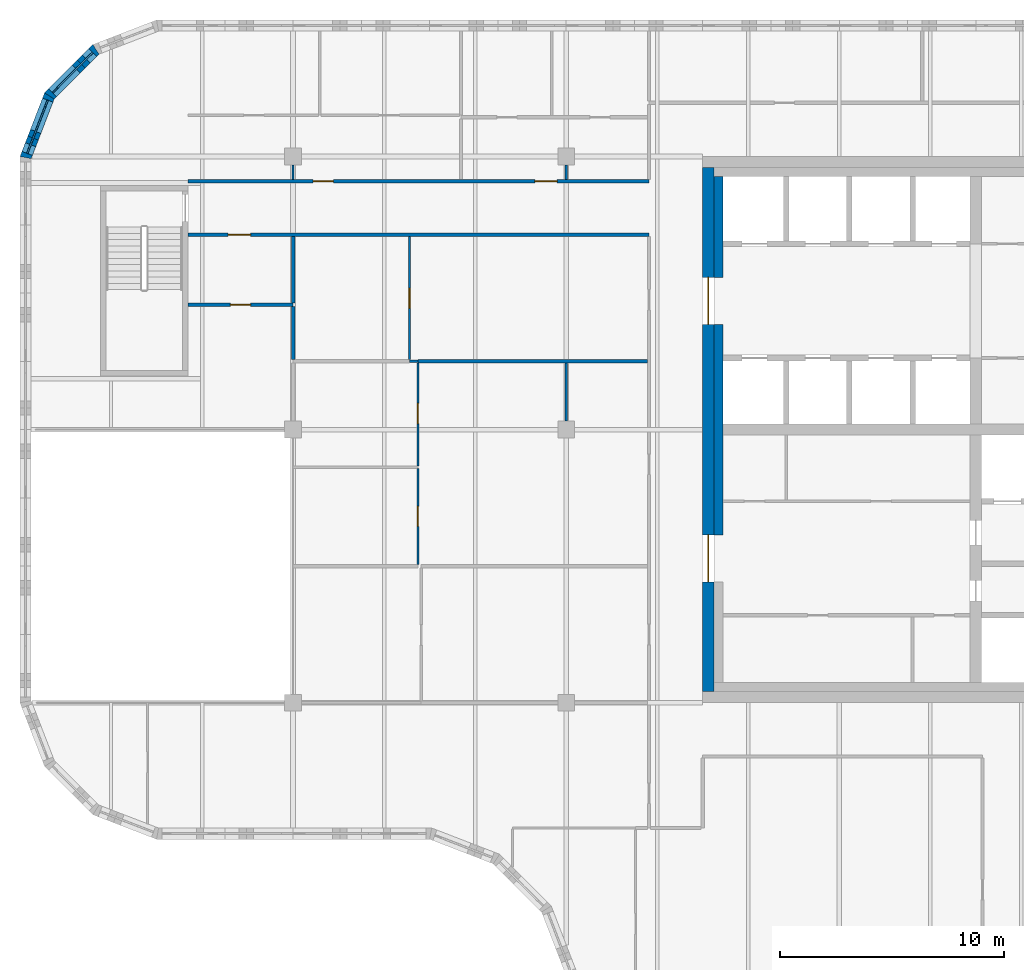
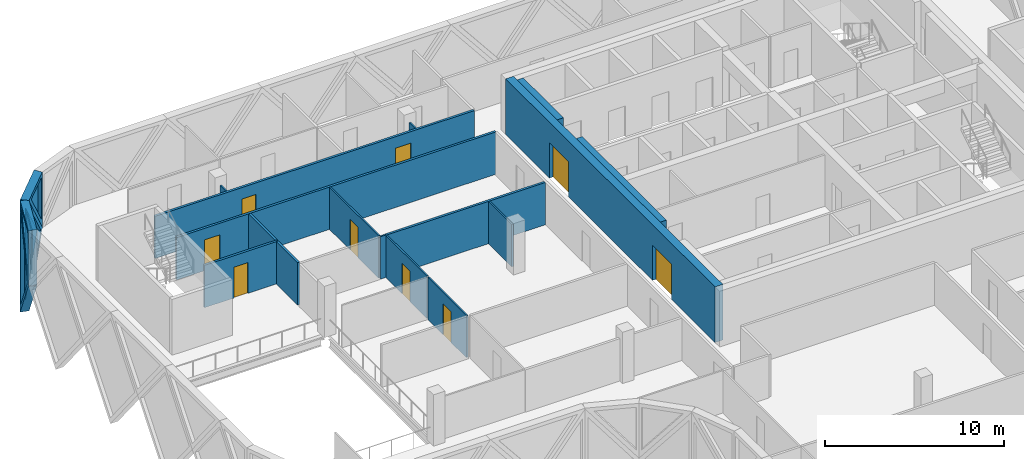
# One storey, part 9 of 15: 20 walls, 9 doors, 4 plates, 13 openings.
"""IFC4 building model written with IfcOpenShell, lengths in metres."""

from ifc_helpers import new_model, si_unit, direction, frame, frame_2d, origin, place, context, subcontext, project, spatial, polyline, rectangle, outline, extrude, faceted_brep, source, transform, mapped, material, layer, layer_set, type_object, element, fill, save


model = new_model("IFC4")

# Units and contexts
model_context = context("Model", 3, precision=1e-05, world=origin(), true_north=direction((0.0, 1.0)))
body_context = subcontext(model_context, "Body", "Model", "MODEL_VIEW")
ifc_project = project(units=[si_unit("LENGTHUNIT", "METRE"), si_unit("AREAUNIT", "SQUARE_METRE"), si_unit("VOLUMEUNIT", "CUBIC_METRE"), si_unit("PLANEANGLEUNIT", "RADIAN"), si_unit("MASSUNIT", "GRAM", prefix="KILO")], contexts=[model_context])

# Site, building, storey
site_placement = place(None, origin())
site = spatial("IfcSite", under=ifc_project, at=site_placement, CompositionType="ELEMENT")
building_placement = place(site_placement, origin())
building = spatial("IfcBuilding", under=site, at=building_placement, Name="Tessera Gate Towers", CompositionType="ELEMENT")
storey_placement = place(building_placement, frame((0.0, 0.0, 228.300048828125)))
storey = spatial("IfcBuildingStorey", under=building, at=storey_placement, Name="L57", CompositionType="ELEMENT", Elevation=228.300048828125)

# Wall, openings, doors
ifc_material_1 = material(Name="Concrete C50/60", Category="concrete")
ifc_layer_1 = layer(ifc_material_1, 0.5)
ifc_layer_set_1 = layer_set([ifc_layer_1], Name="CORE SHEAR WALL 500 C50/60")
wall_type_1 = type_object("IfcWallType", Name="CORE SHEAR WALL 500 C50/60", PredefinedType="SHEAR", material=ifc_layer_set_1)
wall_1_placement = place(storey_placement, frame((30.75, 24.89990234375, 0.0), z_axis=(0.0, 0.0, 1.0), x_axis=(0.0, 1.0, 0.0)))
wall_1 = element("IfcWall", 1, at=wall_1_placement, inside=storey, type_object=wall_type_1, Name="Core wall W L57", PredefinedType="SHEAR", context=body_context, shape_type="SweptSolid", body=[
    extrude(rectangle(XDim=23.400146484375, YDim=0.5, at=frame_2d((11.7001953125, 0.0))), origin(), (0.0, 0.0, 1.0), 3.800048828125),
])
shared_shape_1 = source(origin(), body_context, "Body", "SweptSolid", [
    extrude(rectangle(XDim=2.10009765625, YDim=2.39990234375, at=frame_2d((1.050048828125, 1.199951171875))), frame((0.0, 0.260009765625, 0.0), z_axis=(0.0, -1.0, 0.0), x_axis=(1.0, 0.0, 0.0)), (0.0, 0.0, 1.0), 0.52001953125),
])
opening_1_placement = place(wall_1_placement, frame((4.89990234375, 0.0, 0.0)))
opening_1 = element("IfcOpeningElement", 2, at=opening_1_placement, cuts=wall_1, Name="Opening DD-T1-34-02", PredefinedType="OPENING", context=body_context, shape_type="MappedRepresentation", body=[
    mapped(shared_shape_1, transform((0.0, 0.0, 0.0), scale=1.0)),
])
opening_2_placement = place(wall_1_placement, frame((16.39990234375, 0.0, 0.0)))
opening_2 = element("IfcOpeningElement", 3, at=opening_2_placement, cuts=wall_1, Name="Opening DD-T1-34-03", PredefinedType="OPENING", context=body_context, shape_type="MappedRepresentation", body=[
    mapped(shared_shape_1, transform((0.0, 0.0, 0.0), scale=1.0)),
])
ifc_material_2 = material(Name="Hollow steel fire door", Category="steel")
door_type_1 = type_object("IfcDoorType", Name="CORE DOOR DD 2100x2400", OperationType="NOTDEFINED", PredefinedType="DOOR", material=ifc_material_2)
shared_shape_2 = source(origin(), body_context, "Body", "SweptSolid", [
    extrude(rectangle(XDim=2.10009765625, YDim=2.39990234375, at=frame_2d((1.050048828125, 1.199951171875))), frame((0.0, 0.02490234375, 0.0), z_axis=(0.0, -1.0, 0.0), x_axis=(1.0, 0.0, 0.0)), (0.0, 0.0, 1.0), 0.050048828125),
])
door_1_placement = place(opening_1_placement, origin())
door_1 = element("IfcDoor", 4, at=door_1_placement, inside=storey, type_object=door_type_1, Name="Core entrance door", OperationType="DOUBLE_DOOR_SINGLE_SWING", OverallHeight=2.39990234375, OverallWidth=2.10009765625, PredefinedType="DOOR", context=body_context, shape_type="MappedRepresentation", body=[
    mapped(shared_shape_2, transform((0.0, 0.0, 0.0), scale=1.0)),
])
fill(opening_1, door_1)
door_2_placement = place(opening_2_placement, origin())
door_2 = element("IfcDoor", 5, at=door_2_placement, inside=storey, type_object=door_type_1, Name="Core entrance door", OperationType="DOUBLE_DOOR_SINGLE_SWING", OverallHeight=2.39990234375, OverallWidth=2.10009765625, PredefinedType="DOOR", context=body_context, shape_type="MappedRepresentation", body=[
    mapped(shared_shape_2, transform((0.0, 0.0, 0.0), scale=1.0)),
])
fill(opening_2, door_2)

# Walls
ifc_material_3 = material(Name="Concrete C50/60", Category="concrete")
ifc_layer_2 = layer(ifc_material_3, 0.39990234375)
ifc_layer_set_2 = layer_set([ifc_layer_2], Name="CORE WALL THICKENING 400")
wall_type_2 = type_object("IfcWallType", Name="CORE WALL THICKENING 400", PredefinedType="SOLIDWALL", material=ifc_layer_set_2)
wall_2_placement = place(storey_placement, frame((31.199951171875, 31.89990234375, 0.0), z_axis=(0.0, 0.0, 1.0), x_axis=(0.0, 1.0, 0.0)))
element("IfcWall", 6, at=wall_2_placement, inside=storey, type_object=wall_type_2, Name="Core wall thickening W L57", PredefinedType="SOLIDWALL", context=body_context, shape_type="SweptSolid", body=[
    extrude(rectangle(XDim=9.400146484375, YDim=0.39990234375, at=frame_2d((4.7001953125, 0.0))), origin(), (0.0, 0.0, 1.0), 3.800048828125),
])
wall_3_placement = place(storey_placement, frame((31.199951171875, 43.39990234375, 0.0), z_axis=(0.0, 0.0, 1.0), x_axis=(0.0, 1.0, 0.0)))
element("IfcWall", 7, at=wall_3_placement, inside=storey, type_object=wall_type_2, Name="Core wall thickening W L57", PredefinedType="SOLIDWALL", context=body_context, shape_type="SweptSolid", body=[
    extrude(rectangle(XDim=4.5, YDim=0.39990234375, at=frame_2d((2.25, 0.0))), origin(), (0.0, 0.0, 1.0), 3.800048828125),
])

# Wall, opening, door
ifc_material_4 = material(Name="Gypsum board on steel studs, mineral wool", Category="steel")
ifc_layer_3 = layer(ifc_material_4, 0.14990234375)
ifc_layer_set_3 = layer_set([ifc_layer_3], Name="CORRIDOR WALL 150")
wall_type_3 = type_object("IfcWallType", Name="CORRIDOR WALL 150", PredefinedType="PARTITIONING", material=ifc_layer_set_3)
wall_4_placement = place(storey_placement, frame((28.10009765625, 45.300048828125, 0.0), z_axis=(0.0, 0.0, 1.0), x_axis=(-1.0, 0.0, 0.0)))
wall_4 = element("IfcWall", 8, at=wall_4_placement, inside=storey, type_object=wall_type_3, Name="T1-L57-PW-040", PredefinedType="PARTITIONING", context=body_context, shape_type="SweptSolid", body=[
    extrude(rectangle(XDim=20.60009765625, YDim=0.14990234375, at=frame_2d((10.300048828125, 0.0))), origin(), (0.0, 0.0, 1.0), 2.887939453125),
])
shared_shape_3 = source(origin(), body_context, "Body", "SweptSolid", [
    extrude(rectangle(XDim=1.0, YDim=2.10009765625, at=frame_2d((0.5, 1.050048828125))), frame((0.0, 0.0849609375, 0.0), z_axis=(0.0, -1.0, 0.0), x_axis=(1.0, 0.0, 0.0)), (0.0, 0.0, 1.0), 0.169921875),
])
opening_3_placement = place(wall_4_placement, frame((17.800048828125, 0.0, 0.0)))
opening_3 = element("IfcOpeningElement", 9, at=opening_3_placement, cuts=wall_4, Name="Opening D2100FD60-A20-01", PredefinedType="OPENING", context=body_context, shape_type="MappedRepresentation", body=[
    mapped(shared_shape_3, transform((0.0, 0.0, 0.0), scale=1.0)),
])
ifc_material_5 = material(Name="Timber door leaf in steel frame", Category="steel")
door_type_2 = type_object("IfcDoorType", Name="TENANCY ENTRANCE DOOR 1000 FD60", OperationType="NOTDEFINED", PredefinedType="DOOR", material=ifc_material_5)
shared_shape_4 = source(origin(), body_context, "Body", "SweptSolid", [
    extrude(rectangle(XDim=1.0, YDim=2.10009765625, at=frame_2d((0.5, 1.050048828125))), frame((0.0, 0.02490234375, 0.0), z_axis=(0.0, -1.0, 0.0), x_axis=(1.0, 0.0, 0.0)), (0.0, 0.0, 1.0), 0.050048828125),
])
door_3_placement = place(opening_3_placement, origin())
door_3 = element("IfcDoor", 10, at=door_3_placement, inside=storey, type_object=door_type_2, Name="T1-L57-PD-006", OperationType="SINGLE_SWING_RIGHT", OverallHeight=2.10009765625, OverallWidth=1.0, PredefinedType="DOOR", context=body_context, shape_type="MappedRepresentation", body=[
    mapped(shared_shape_4, transform((0.0, 0.0, 0.0), scale=1.0)),
])
fill(opening_3, door_3)

# Wall, openings, doors
wall_5_placement = place(storey_placement, frame((7.5, 47.699951171875, 0.0), z_axis=(0.0, 0.0, 1.0), x_axis=(1.0, 0.0, 0.0)))
wall_5 = element("IfcWall", 11, at=wall_5_placement, inside=storey, type_object=wall_type_3, Name="T1-L57-PW-041", PredefinedType="PARTITIONING", context=body_context, shape_type="SweptSolid", body=[
    extrude(rectangle(XDim=20.60009765625, YDim=0.14990234375, at=frame_2d((10.300048828125, 0.0))), origin(), (0.0, 0.0, 1.0), 2.887939453125),
])
opening_4_placement = place(wall_5_placement, frame((15.5009765625, 0.0, 0.0)))
opening_4 = element("IfcOpeningElement", 12, at=opening_4_placement, cuts=wall_5, Name="Opening D2100FD60-A20-03", PredefinedType="OPENING", context=body_context, shape_type="MappedRepresentation", body=[
    mapped(shared_shape_3, transform((0.0, 0.0, 0.0), scale=1.0)),
])
shared_shape_5 = source(origin(), body_context, "Body", "SweptSolid", [
    extrude(rectangle(XDim=0.89990234375, YDim=2.10009765625, at=frame_2d((0.449951171875, 1.050048828125))), frame((0.0, 0.0849609375, 0.0), z_axis=(0.0, -1.0, 0.0), x_axis=(1.0, 0.0, 0.0)), (0.0, 0.0, 1.0), 0.169921875),
])
opening_5_placement = place(wall_5_placement, frame((5.60009765625, 0.0, 0.0)))
opening_5 = element("IfcOpeningElement", 13, at=opening_5_placement, cuts=wall_5, Name="Opening D890FD60-A20-10", PredefinedType="OPENING", context=body_context, shape_type="MappedRepresentation", body=[
    mapped(shared_shape_5, transform((0.0, 0.0, 0.0), scale=1.0)),
])
ifc_material_6 = material(Name="Timber door leaf in steel frame", Category="steel")
door_type_3 = type_object("IfcDoorType", Name="CORRIDOR DOOR 900 FD60", OperationType="NOTDEFINED", PredefinedType="DOOR", material=ifc_material_6)
shared_shape_6 = source(origin(), body_context, "Body", "SweptSolid", [
    extrude(rectangle(XDim=0.89990234375, YDim=2.10009765625, at=frame_2d((0.449951171875, 1.050048828125))), frame((0.0, 0.02490234375, 0.0), z_axis=(0.0, -1.0, 0.0), x_axis=(1.0, 0.0, 0.0)), (0.0, 0.0, 1.0), 0.050048828125),
])
door_4_placement = place(opening_5_placement, origin())
door_4 = element("IfcDoor", 14, at=door_4_placement, inside=storey, type_object=door_type_3, Name="T1-L57-PD-025", OperationType="SINGLE_SWING_LEFT", OverallHeight=2.10009765625, OverallWidth=0.89990234375, PredefinedType="DOOR", context=body_context, shape_type="MappedRepresentation", body=[
    mapped(shared_shape_6, transform((0.0, 0.0, 0.0), scale=1.0)),
])
fill(opening_5, door_4)
door_5_placement = place(opening_4_placement, origin())
door_5 = element("IfcDoor", 15, at=door_5_placement, inside=storey, type_object=door_type_2, Name="T1-L57-PD-019", OperationType="SINGLE_SWING_LEFT", OverallHeight=2.10009765625, OverallWidth=1.0, PredefinedType="DOOR", context=body_context, shape_type="MappedRepresentation", body=[
    mapped(shared_shape_4, transform((0.0, 0.0, 0.0), scale=1.0)),
])
fill(opening_4, door_5)

# Wall, opening, door
ifc_material_7 = material(Name="Glass", Category="glass")
ifc_layer_4 = layer(ifc_material_7, 0.10009765625)
ifc_layer_set_4 = layer_set([ifc_layer_4], Name="GLAZED PARTITION 100")
wall_type_4 = type_object("IfcWallType", Name="GLAZED PARTITION 100", PredefinedType="PARTITIONING", material=ifc_layer_set_4)
wall_6_placement = place(storey_placement, frame((17.77490234375, 30.575927734375, 0.0), z_axis=(0.0, 0.0, 1.0), x_axis=(0.0, 1.0, 0.0)))
wall_6 = element("IfcWall", 16, at=wall_6_placement, inside=storey, type_object=wall_type_4, Name="T1-L57-PW-028", PredefinedType="PARTITIONING", context=body_context, shape_type="SweptSolid", body=[
    extrude(rectangle(XDim=4.29345703125, YDim=0.10009765625, at=frame_2d((2.146728515625, 0.0))), origin(), (0.0, 0.0, 1.0), 2.887939453125),
])
shared_shape_7 = source(origin(), body_context, "Body", "SweptSolid", [
    extrude(rectangle(XDim=0.89990234375, YDim=2.10009765625, at=frame_2d((0.449951171875, 1.050048828125))), frame((0.0, 0.06005859375, 0.0), z_axis=(0.0, -1.0, 0.0), x_axis=(1.0, 0.0, 0.0)), (0.0, 0.0, 1.0), 0.1201171875),
])
opening_6_placement = place(wall_6_placement, frame((1.699951171875, 0.0, 0.0)))
opening_6 = element("IfcOpeningElement", 17, at=opening_6_placement, cuts=wall_6, Name="Opening D690-A20-01", PredefinedType="OPENING", context=body_context, shape_type="MappedRepresentation", body=[
    mapped(shared_shape_7, transform((0.0, 0.0, 0.0), scale=1.0)),
])
ifc_material_8 = material(Name="Glass in aluminium frame", Category="aluminium")
door_type_4 = type_object("IfcDoorType", Name="GLAZED DOOR 900 NOT RATED", OperationType="NOTDEFINED", PredefinedType="DOOR", material=ifc_material_8)
door_6_placement = place(opening_6_placement, origin())
door_6 = element("IfcDoor", 18, at=door_6_placement, inside=storey, type_object=door_type_4, Name="T1-L57-PD-004", OperationType="SINGLE_SWING_LEFT", OverallHeight=2.10009765625, OverallWidth=0.89990234375, PredefinedType="DOOR", context=body_context, shape_type="MappedRepresentation", body=[
    mapped(shared_shape_6, transform((0.0, 0.0, 0.0), scale=1.0)),
])
fill(opening_6, door_6)

wall_7_placement = place(storey_placement, frame((17.77490234375, 34.97119140625, 0.0), z_axis=(0.0, 0.0, 1.0), x_axis=(0.0, 1.0, 0.0)))
wall_7 = element("IfcWall", 19, at=wall_7_placement, inside=storey, type_object=wall_type_4, Name="T1-L57-PW-030", PredefinedType="PARTITIONING", context=body_context, shape_type="SweptSolid", body=[
    extrude(rectangle(XDim=4.602783203125, YDim=0.10009765625, at=frame_2d((2.30126953125, 0.0))), origin(), (0.0, 0.0, 1.0), 2.887939453125),
])
opening_7_placement = place(wall_7_placement, frame((1.89990234375, 0.0, 0.0)))
opening_7 = element("IfcOpeningElement", 20, at=opening_7_placement, cuts=wall_7, Name="Opening D690-A20-02", PredefinedType="OPENING", context=body_context, shape_type="MappedRepresentation", body=[
    mapped(shared_shape_7, transform((0.0, 0.0, 0.0), scale=1.0)),
])
door_7_placement = place(opening_7_placement, origin())
door_7 = element("IfcDoor", 21, at=door_7_placement, inside=storey, type_object=door_type_4, Name="T1-L57-PD-005", OperationType="SINGLE_SWING_LEFT", OverallHeight=2.10009765625, OverallWidth=0.89990234375, PredefinedType="DOOR", context=body_context, shape_type="MappedRepresentation", body=[
    mapped(shared_shape_6, transform((0.0, 0.0, 0.0), scale=1.0)),
])
fill(opening_7, door_7)

# Wall
wall_8_placement = place(storey_placement, frame((17.40087890625, 39.64990234375, 0.0), z_axis=(0.0, 0.0, 1.0), x_axis=(1.0, 0.0, 0.0)))
element("IfcWall", 22, at=wall_8_placement, inside=storey, type_object=wall_type_4, Name="T1-L57-PW-034", PredefinedType="PARTITIONING", context=body_context, shape_type="SweptSolid", body=[
    extrude(rectangle(XDim=0.373046875, YDim=0.10009765625, at=frame_2d((0.1865234375, 0.0))), origin(), (0.0, 0.0, 1.0), 2.887939453125),
])

# Wall, opening, door
wall_9_placement = place(storey_placement, frame((17.39990234375, 39.72607421875, 0.0), z_axis=(0.0, 0.0, 1.0), x_axis=(0.0, 1.0, 0.0)))
wall_9 = element("IfcWall", 23, at=wall_9_placement, inside=storey, type_object=wall_type_4, Name="T1-L57-PW-037", PredefinedType="PARTITIONING", context=body_context, shape_type="SweptSolid", body=[
    extrude(rectangle(XDim=5.498046875, YDim=0.10009765625, at=frame_2d((2.7490234375, 0.0))), origin(), (0.0, 0.0, 1.0), 2.887939453125),
])
opening_8_placement = place(wall_9_placement, frame((2.300048828125, 0.0, 0.0)))
opening_8 = element("IfcOpeningElement", 24, at=opening_8_placement, cuts=wall_9, Name="Opening D690-A20-04", PredefinedType="OPENING", context=body_context, shape_type="MappedRepresentation", body=[
    mapped(shared_shape_7, transform((0.0, 0.0, 0.0), scale=1.0)),
])
door_8_placement = place(opening_8_placement, origin())
door_8 = element("IfcDoor", 25, at=door_8_placement, inside=storey, type_object=door_type_4, Name="T1-L57-PD-010", OperationType="SINGLE_SWING_LEFT", OverallHeight=2.10009765625, OverallWidth=0.89990234375, PredefinedType="DOOR", context=body_context, shape_type="MappedRepresentation", body=[
    mapped(shared_shape_6, transform((0.0, 0.0, 0.0), scale=1.0)),
])
fill(opening_8, door_8)

# Walls
ifc_material_9 = material(Name="Gypsum board on steel studs", Category="steel")
ifc_layer_5 = layer(ifc_material_9, 0.10009765625)
ifc_layer_set_5 = layer_set([ifc_layer_5], Name="PARTITION 100")
wall_type_5 = type_object("IfcWallType", Name="PARTITION 100", PredefinedType="PARTITIONING", material=ifc_layer_set_5)
wall_10_placement = place(storey_placement, frame((24.39990234375, 36.97509765625, 0.0), z_axis=(0.0, 0.0, 1.0), x_axis=(0.0, 1.0, 0.0)))
element("IfcWall", 26, at=wall_10_placement, inside=storey, type_object=wall_type_5, Name="T1-L57-PW-032", PredefinedType="PARTITIONING", context=body_context, shape_type="SweptSolid", body=[
    extrude(rectangle(XDim=2.599853515625, YDim=0.10009765625, at=frame_2d((1.2998046875, 0.0))), origin(), (0.0, 0.0, 1.0), 2.887939453125),
])
for number, where, z_axis, x_axis, name in (
    (27, (12.199951171875, 48.425048828125, 0.0), (0.0, 0.0, 1.0), (0.0, -1.0, 0.0), "T1-L57-PW-044"),
    (28, (24.39990234375, 48.425048828125, 0.0), (0.0, 0.0, 1.0), (0.0, -1.0, 0.0), "T1-L57-PW-045"),
):
    element("IfcWall", number, at=place(storey_placement, frame(where, z_axis=z_axis, x_axis=x_axis)), inside=storey, type_object=wall_type_5, Name=name, PredefinedType="PARTITIONING", context=body_context, shape_type="SweptSolid", body=[
        extrude(rectangle(XDim=0.650146484375, YDim=0.10009765625, at=frame_2d((0.3251953125, 0.0))), origin(), (0.0, 0.0, 1.0), 2.887939453125),
    ])
ifc_material_10 = material(Name="Gypsum board on steel studs, mineral wool", Category="steel")
ifc_layer_6 = layer(ifc_material_10, 0.14990234375)
ifc_layer_set_6 = layer_set([ifc_layer_6], Name="TENANCY WALL 150")
wall_type_6 = type_object("IfcWallType", Name="TENANCY WALL 150", PredefinedType="PARTITIONING", material=ifc_layer_set_6)
wall_11_placement = place(storey_placement, frame((17.77490234375, 39.64990234375, 0.0), z_axis=(0.0, 0.0, 1.0), x_axis=(1.0, 0.0, 0.0)))
element("IfcWall", 29, at=wall_11_placement, inside=storey, type_object=wall_type_6, Name="T1-L57-PW-035", PredefinedType="PARTITIONING", context=body_context, shape_type="SweptSolid", body=[
    extrude(rectangle(XDim=10.2490234375, YDim=0.14990234375, at=frame_2d((5.12451171875, 0.0))), origin(), (0.0, 0.0, 1.0), 2.887939453125),
])
wall_12_placement = place(storey_placement, frame((12.199951171875, 39.72607421875, 0.0), z_axis=(0.0, 0.0, 1.0), x_axis=(0.0, 1.0, 0.0)))
element("IfcWall", 30, at=wall_12_placement, inside=storey, type_object=wall_type_6, Name="T1-L57-PW-036", PredefinedType="PARTITIONING", context=body_context, shape_type="SweptSolid", body=[
    extrude(rectangle(XDim=2.373046875, YDim=0.14990234375, at=frame_2d((1.1865234375, 0.0))), origin(), (0.0, 0.0, 1.0), 2.887939453125),
])

# Wall, opening, door
wall_13_placement = place(storey_placement, frame((12.199951171875, 42.175048828125, 0.0), z_axis=(0.0, 0.0, 1.0), x_axis=(-1.0, 0.0, 0.0)))
wall_13 = element("IfcWall", 31, at=wall_13_placement, inside=storey, type_object=wall_type_6, Name="T1-L57-PW-038", PredefinedType="PARTITIONING", context=body_context, shape_type="SweptSolid", body=[
    extrude(rectangle(XDim=4.699951171875, YDim=0.14990234375, at=frame_2d((2.35009765625, 0.0))), origin(), (0.0, 0.0, 1.0), 2.887939453125),
])
opening_9_placement = place(wall_13_placement, frame((1.89990234375, 0.0, 0.0)))
opening_9 = element("IfcOpeningElement", 32, at=opening_9_placement, cuts=wall_13, Name="Opening D190-A20-03", PredefinedType="OPENING", context=body_context, shape_type="MappedRepresentation", body=[
    mapped(shared_shape_5, transform((0.0, 0.0, 0.0), scale=1.0)),
])
ifc_material_11 = material(Name="Timber door leaf in steel frame", Category="steel")
door_type_5 = type_object("IfcDoorType", Name="INTERNAL DOOR 900 NOT RATED", OperationType="NOTDEFINED", PredefinedType="DOOR", material=ifc_material_11)
door_9_placement = place(opening_9_placement, origin())
door_9 = element("IfcDoor", 33, at=door_9_placement, inside=storey, type_object=door_type_5, Name="T1-L57-PD-007", OperationType="SINGLE_SWING_RIGHT", OverallHeight=2.10009765625, OverallWidth=0.89990234375, PredefinedType="DOOR", context=body_context, shape_type="MappedRepresentation", body=[
    mapped(shared_shape_6, transform((0.0, 0.0, 0.0), scale=1.0)),
])
fill(opening_9, door_9)

# Wall
wall_14_placement = place(storey_placement, frame((12.199951171875, 42.2509765625, 0.0), z_axis=(0.0, 0.0, 1.0), x_axis=(0.0, 1.0, 0.0)))
element("IfcWall", 34, at=wall_14_placement, inside=storey, type_object=wall_type_6, Name="T1-L57-PW-039", PredefinedType="PARTITIONING", context=body_context, shape_type="SweptSolid", body=[
    extrude(rectangle(XDim=2.97314453125, YDim=0.14990234375, at=frame_2d((1.486572265625, 0.0))), origin(), (0.0, 0.0, 1.0), 2.887939453125),
])

# Wall, opening, plate
ifc_material_12 = material(Name="Precast concrete C60/75 white", Category="concrete")
ifc_layer_7 = layer(ifc_material_12, 0.5)
ifc_layer_set_7 = layer_set([ifc_layer_7], Name="TS3 corner tessera")
wall_type_7 = type_object("IfcWallType", Name="TS3 corner tessera", PredefinedType="SOLIDWALL", material=ifc_layer_set_7)
shared_shape_8 = source(origin(), body_context, "Body", "Brep", [
    faceted_brep([(0.052978515625, -0.25, 0.0), (3.00341796875, -0.25, 3.800048828125), (0.052978515625, -0.25, 7.60009765625), (0.0, -0.25, 7.53173828125), (0.0, -0.25, 0.068359375), (0.10595703125, 0.25, 7.531982421875), (2.95703125, 0.25, 3.85986328125), (2.95703125, 0.25, 3.740234375), (0.10595703125, 0.25, 0.068115234375), (3.00341796875, 0.00048828125, 3.800048828125), (0.052978515625, 0.0, 0.0), (0.052978515625, 0.0, 7.60009765625)], [[[0, 1, 2, 3, 4]], [[5, 6, 7, 8]], [[8, 7, 9, 1, 0, 10]], [[6, 5, 11, 2, 1, 9]], [[3, 2, 11]], [[10, 0, 4]], [[8, 10, 4, 3, 11, 5]], [[9, 7, 6]]]),
])
wall_15_placement = place(storey_placement, frame((1.3310546875, 51.5556640625, -3.800048828125), z_axis=(0.0, 0.0, 1.0), x_axis=(-0.35992665181, -0.932980602862, 0.0)))
wall_15 = element("IfcWall", 35, at=wall_15_placement, inside=storey, type_object=wall_type_7, Name="Precast corner tessera T1 TS3-1334", PredefinedType="SOLIDWALL", context=body_context, shape_type="MappedRepresentation", body=[
    mapped(shared_shape_8, transform((0.0, 0.0, 0.0), scale=1.0)),
])
shared_shape_9 = source(origin(), body_context, "Body", "SweptSolid", [
    extrude(outline(polyline([(0.2529296875, 0.665283203125), (2.68701171875, 3.800048828125), (0.2529296875, 6.934814453125), (0.2529296875, 0.665283203125)])), frame((0.0, 0.260009765625, 0.0), z_axis=(0.0, -1.0, 0.0), x_axis=(1.0, 0.0, 0.0)), (0.0, 0.0, 1.0), 0.52001953125),
])
opening_10_placement = place(wall_15_placement, origin())
opening_10 = element("IfcOpeningElement", 36, at=opening_10_placement, cuts=wall_15, Name="Opening T1-PL2-2098", PredefinedType="OPENING", context=body_context, shape_type="MappedRepresentation", body=[
    mapped(shared_shape_9, transform((0.0, 0.0, 0.0), scale=1.0)),
])
ifc_material_13 = material(Name="Low-e laminated glass", Category="glass")
ifc_layer_8 = layer(ifc_material_13, 0.06005859375)
ifc_layer_set_8 = layer_set([ifc_layer_8], Name="PL2 rhombic pane")
plate_type_1 = type_object("IfcPlateType", Name="PL2 rhombic pane", PredefinedType="SHEET", material=ifc_layer_set_8)
shared_shape_10 = source(origin(), body_context, "Body", "SweptSolid", [
    extrude(outline(polyline([(0.2529296875, 0.665283203125), (2.68701171875, 3.800048828125), (0.2529296875, 6.934814453125), (0.2529296875, 0.665283203125)])), frame((0.0, 0.030029296875, 0.0), z_axis=(0.0, -1.0, 0.0), x_axis=(1.0, 0.0, 0.0)), (0.0, 0.0, 1.0), 0.06005859375),
])
plate_1_placement = place(opening_10_placement, origin())
plate_1 = element("IfcPlate", 37, at=plate_1_placement, inside=storey, type_object=plate_type_1, Name="Glass pane T1 PL2-2098", PredefinedType="SHEET", context=body_context, shape_type="MappedRepresentation", body=[
    mapped(shared_shape_10, transform((0.0, 0.0, 0.0), scale=1.0)),
])
fill(opening_10, plate_1)

shared_shape_11 = source(origin(), body_context, "Body", "Brep", [
    faceted_brep([(2.944091796875, -0.25, 0.0), (2.9970703125, -0.25, 0.068115234375), (2.9970703125, -0.25, 7.531982421875), (2.944091796875, -0.25, 7.60009765625), (0.0, -0.25, 3.800048828125), (0.052978515625, 0.25, 3.868408203125), (2.89111328125, 0.25, 7.531982421875), (2.89111328125, 0.25, 0.068115234375), (0.052978515625, 0.25, 3.731689453125), (2.944091796875, 0.000244140625, 0.0), (2.944091796875, 0.000244140625, 7.60009765625), (0.0, 0.0, 3.800048828125)], [[[0, 1, 2, 3, 4]], [[5, 6, 7, 8]], [[1, 0, 9]], [[10, 3, 2]], [[6, 5, 11, 4, 3, 10]], [[8, 7, 9, 0, 4, 11]], [[8, 11, 5]], [[1, 9, 7, 6, 10, 2]]]),
])
wall_16_placement = place(storey_placement, frame((3.393798828125, 53.588134765625, -3.800048828125), z_axis=(0.0, 0.0, 1.0), x_axis=(-0.707106781187, -0.707106781187, 0.0)))
wall_16 = element("IfcWall", 38, at=wall_16_placement, inside=storey, type_object=wall_type_7, Name="Precast corner tessera T1 TS3-1333", PredefinedType="SOLIDWALL", context=body_context, shape_type="MappedRepresentation", body=[
    mapped(shared_shape_11, transform((0.0, 0.0, 0.0), scale=1.0)),
])
shared_shape_12 = source(origin(), body_context, "Body", "SweptSolid", [
    extrude(outline(polyline([(2.744140625, 6.93359375), (0.316162109375, 3.800048828125), (2.744140625, 0.666259765625), (2.744140625, 6.93359375)])), frame((0.0, 0.260009765625, 0.0), z_axis=(0.0, -1.0, 0.0), x_axis=(1.0, 0.0, 0.0)), (0.0, 0.0, 1.0), 0.52001953125),
])
opening_11_placement = place(wall_16_placement, origin())
opening_11 = element("IfcOpeningElement", 39, at=opening_11_placement, cuts=wall_16, Name="Opening T1-PL2-2097", PredefinedType="OPENING", context=body_context, shape_type="MappedRepresentation", body=[
    mapped(shared_shape_12, transform((0.0, 0.0, 0.0), scale=1.0)),
])
shared_shape_13 = source(origin(), body_context, "Body", "SweptSolid", [
    extrude(outline(polyline([(2.744140625, 6.93359375), (0.316162109375, 3.800048828125), (2.744140625, 0.666259765625), (2.744140625, 6.93359375)])), frame((0.0, 0.030029296875, 0.0), z_axis=(0.0, -1.0, 0.0), x_axis=(1.0, 0.0, 0.0)), (0.0, 0.0, 1.0), 0.06005859375),
])
plate_2_placement = place(opening_11_placement, origin())
plate_2 = element("IfcPlate", 40, at=plate_2_placement, inside=storey, type_object=plate_type_1, Name="Glass pane T1 PL2-2097", PredefinedType="SHEET", context=body_context, shape_type="MappedRepresentation", body=[
    mapped(shared_shape_13, transform((0.0, 0.0, 0.0), scale=1.0)),
])
fill(opening_11, plate_2)

shared_shape_14 = source(origin(), body_context, "Body", "Brep", [
    faceted_brep([(2.950439453125, -0.25, 0.0), (2.9970703125, -0.25, 0.05908203125), (2.9970703125, -0.25, 3.800048828125), (0.0, -0.25, 3.800048828125), (0.052978515625, 0.25, 3.800048828125), (2.904052734375, 0.25, 3.800048828125), (2.904052734375, 0.25, 0.059814453125), (0.052978515625, 0.25, 3.73193359375), (2.950439453125, 0.00048828125, 0.0), (0.0, 0.0, 3.800048828125)], [[[0, 1, 2, 3]], [[4, 5, 6, 7]], [[1, 0, 8]], [[5, 4, 9, 3, 2]], [[7, 6, 8, 0, 3, 9]], [[7, 9, 4]], [[1, 8, 6, 5, 2]]]),
])
wall_17_placement = place(storey_placement, frame((1.31201171875, 51.50634765625, 0.0), z_axis=(0.0, 0.0, 1.0), x_axis=(-0.359944998003, -0.932973525033, 0.0)))
wall_17 = element("IfcWall", 41, at=wall_17_placement, inside=storey, type_object=wall_type_7, Name="Precast corner tessera T1 TS3-1355", PredefinedType="SOLIDWALL", context=body_context, shape_type="MappedRepresentation", body=[
    mapped(shared_shape_14, transform((0.0, 0.0, 0.0), scale=1.0)),
])
shared_shape_15 = source(origin(), body_context, "Body", "SweptSolid", [
    extrude(outline(polyline([(2.75048828125, 3.550048828125), (0.5107421875, 3.550048828125), (2.75048828125, 0.665283203125), (2.75048828125, 3.550048828125)])), frame((0.0, 0.260009765625, 0.0), z_axis=(0.0, -1.0, 0.0), x_axis=(1.0, 0.0, 0.0)), (0.0, 0.0, 1.0), 0.52001953125),
])
opening_12_placement = place(wall_17_placement, origin())
opening_12 = element("IfcOpeningElement", 42, at=opening_12_placement, cuts=wall_17, Name="Opening T1-PL1-0545", PredefinedType="OPENING", context=body_context, shape_type="MappedRepresentation", body=[
    mapped(shared_shape_15, transform((0.0, 0.0, 0.0), scale=1.0)),
])
ifc_material_14 = material(Name="Low-e laminated glass", Category="glass")
ifc_layer_9 = layer(ifc_material_14, 0.06005859375)
ifc_layer_set_9 = layer_set([ifc_layer_9], Name="PL1 triangular pane")
plate_type_2 = type_object("IfcPlateType", Name="PL1 triangular pane", PredefinedType="SHEET", material=ifc_layer_set_9)
shared_shape_16 = source(origin(), body_context, "Body", "SweptSolid", [
    extrude(outline(polyline([(2.75048828125, 3.550048828125), (0.5107421875, 3.550048828125), (2.75048828125, 0.665283203125), (2.75048828125, 3.550048828125)])), frame((0.0, 0.030029296875, 0.0), z_axis=(0.0, -1.0, 0.0), x_axis=(1.0, 0.0, 0.0)), (0.0, 0.0, 1.0), 0.06005859375),
])
plate_3_placement = place(opening_12_placement, origin())
plate_3 = element("IfcPlate", 43, at=plate_3_placement, inside=storey, type_object=plate_type_2, Name="Glass pane T1 PL1-0545", PredefinedType="SHEET", context=body_context, shape_type="MappedRepresentation", body=[
    mapped(shared_shape_16, transform((0.0, 0.0, 0.0), scale=1.0)),
])
fill(opening_12, plate_3)

shared_shape_17 = source(origin(), body_context, "Body", "Brep", [
    faceted_brep([(0.052978515625, -0.25, 0.0), (2.9970703125, -0.25, 3.800048828125), (0.0, -0.25, 3.800048828125), (0.0, -0.25, 0.068115234375), (0.10595703125, 0.25, 3.800048828125), (2.944091796875, 0.25, 3.800048828125), (2.944091796875, 0.25, 3.73193359375), (0.10595703125, 0.25, 0.068359375), (2.9970703125, 0.000244140625, 3.800048828125), (0.052978515625, 0.0, 0.0)], [[[0, 1, 2, 3]], [[4, 5, 6, 7]], [[7, 6, 8, 1, 0, 9]], [[5, 4, 2, 1, 8]], [[9, 0, 3]], [[7, 9, 3, 2, 4]], [[6, 5, 8]]]),
])
wall_18_placement = place(storey_placement, frame((3.43115234375, 53.62548828125, 0.0), z_axis=(0.0, 0.0, 1.0), x_axis=(-0.707106781187, -0.707106781187, 0.0)))
wall_18 = element("IfcWall", 44, at=wall_18_placement, inside=storey, type_object=wall_type_7, Name="Precast corner tessera T1 TS3-1354", PredefinedType="SOLIDWALL", context=body_context, shape_type="MappedRepresentation", body=[
    mapped(shared_shape_17, transform((0.0, 0.0, 0.0), scale=1.0)),
])
shared_shape_18 = source(origin(), body_context, "Body", "SweptSolid", [
    extrude(outline(polyline([(0.2529296875, 0.666259765625), (2.487060546875, 3.550048828125), (0.2529296875, 3.550048828125), (0.2529296875, 0.666259765625)])), frame((0.0, 0.260009765625, 0.0), z_axis=(0.0, -1.0, 0.0), x_axis=(1.0, 0.0, 0.0)), (0.0, 0.0, 1.0), 0.52001953125),
])
opening_13_placement = place(wall_18_placement, origin())
opening_13 = element("IfcOpeningElement", 45, at=opening_13_placement, cuts=wall_18, Name="Opening T1-PL1-0544", PredefinedType="OPENING", context=body_context, shape_type="MappedRepresentation", body=[
    mapped(shared_shape_18, transform((0.0, 0.0, 0.0), scale=1.0)),
])
shared_shape_19 = source(origin(), body_context, "Body", "SweptSolid", [
    extrude(outline(polyline([(0.2529296875, 0.666259765625), (2.487060546875, 3.550048828125), (0.2529296875, 3.550048828125), (0.2529296875, 0.666259765625)])), frame((0.0, 0.030029296875, 0.0), z_axis=(0.0, -1.0, 0.0), x_axis=(1.0, 0.0, 0.0)), (0.0, 0.0, 1.0), 0.06005859375),
])
plate_4_placement = place(opening_13_placement, origin())
plate_4 = element("IfcPlate", 46, at=plate_4_placement, inside=storey, type_object=plate_type_2, Name="Glass pane T1 PL1-0544", PredefinedType="SHEET", context=body_context, shape_type="MappedRepresentation", body=[
    mapped(shared_shape_19, transform((0.0, 0.0, 0.0), scale=1.0)),
])
fill(opening_13, plate_4)

save(model, "model.ifc")
